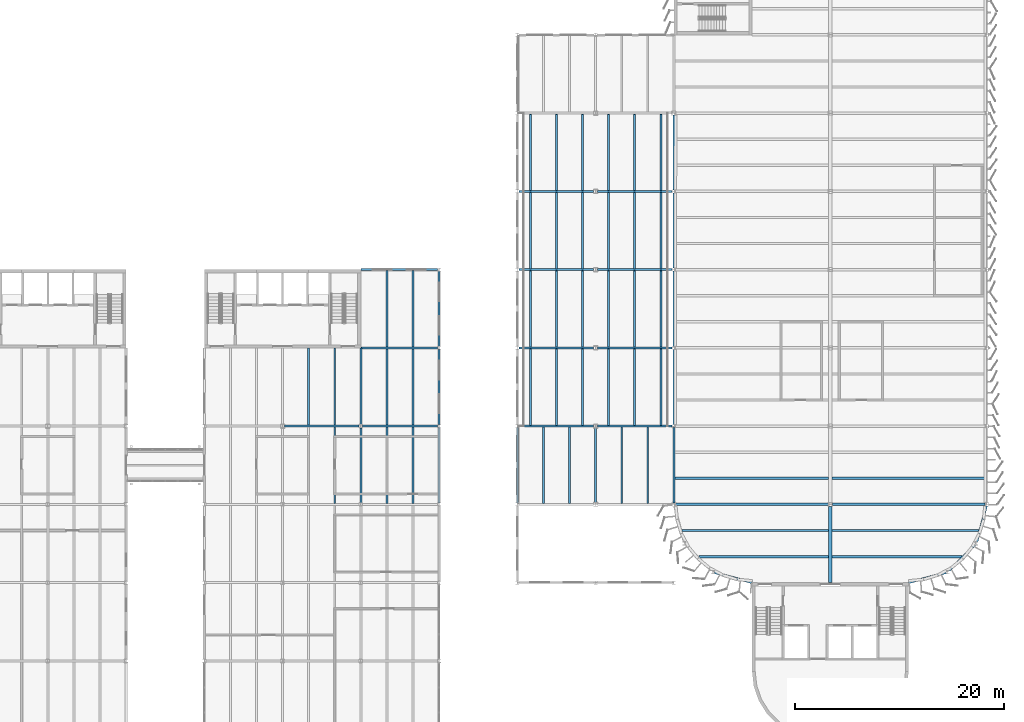
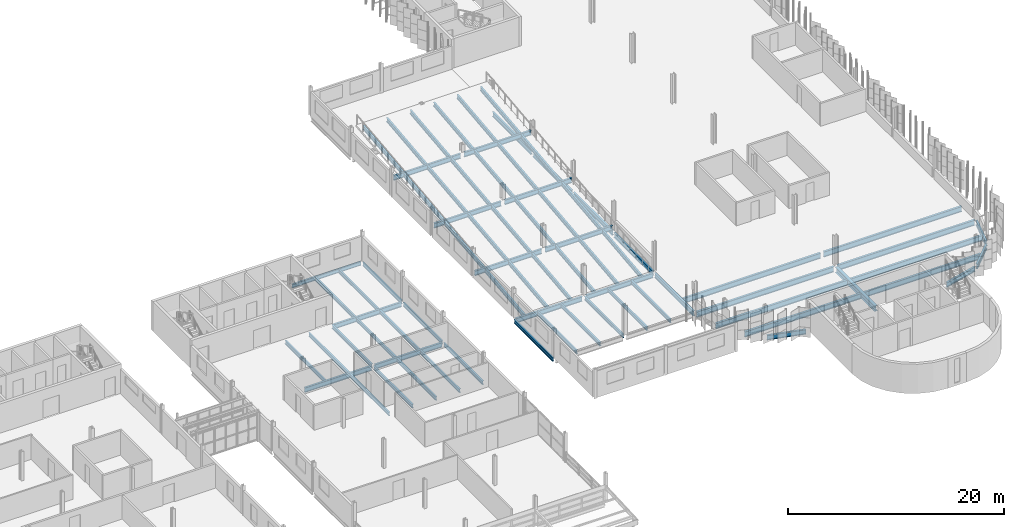
# One storey, part 52 of 214: 74 beams.
"""IFC4 building model written with IfcOpenShell, lengths in metres."""

from ifc_helpers import new_model, si_unit, direction, frame, origin, origin_2d, place, context, subcontext, project, spatial, i_section, extrude, material, material_profile, profile_set, type_object, element, save


model = new_model("IFC4")

# Units and contexts
model_context = context("Model", 3, precision=1e-05, world=origin(), true_north=direction((0.0, 1.0)))
body_context = subcontext(model_context, "Body", "Model", "MODEL_VIEW")
ifc_project = project(units=[si_unit("LENGTHUNIT", "METRE"), si_unit("AREAUNIT", "SQUARE_METRE"), si_unit("VOLUMEUNIT", "CUBIC_METRE"), si_unit("PLANEANGLEUNIT", "RADIAN"), si_unit("MASSUNIT", "GRAM", prefix="KILO")], contexts=[model_context])

# Site, building, storey
site_placement = place(None, origin())
site = spatial("IfcSite", under=ifc_project, at=site_placement, CompositionType="ELEMENT")
building_placement = place(site_placement, origin())
building = spatial("IfcBuilding", under=site, at=building_placement, Name="Parallax Yard Mobility Hub", CompositionType="ELEMENT")
storey_placement = place(building_placement, frame((0.0, 0.0, 3.300048828125)))
storey = spatial("IfcBuildingStorey", under=building, at=storey_placement, Name="L01", CompositionType="ELEMENT", Elevation=3.300048828125)

# Beams
ifc_material = material(Name="Steel ASTM A992", Category="steel")
ifc_material_profile_1 = material_profile(ifc_material, i_section(OverallWidth=0.177978515625, OverallDepth=0.406005859375, WebThickness=0.0078125, FlangeThickness=0.0126953125, FilletRadius=0.01025390625, at=origin_2d()), Name="W410x60")
ifc_profile_set_1 = profile_set([ifc_material_profile_1], Name="Steel ASTM A992")
beam_type_1 = type_object("IfcBeamType", Name="W410x60 edge beam", PredefinedType="SPANDREL", material=ifc_profile_set_1)
beam_1_placement = place(storey_placement, frame((180.0, 30.153564453125, -0.343017578125), z_axis=(0.0, 1.0, 0.0), x_axis=(-1.0, 0.0, 0.0)))
element("IfcBeam", 1, at=beam_1_placement, inside=storey, type_object=beam_type_1, Name="Edge beam SB1 level L01, line 25 of ramp house, span 1", PredefinedType="SPANDREL", context=body_context, shape_type="SweptSolid", body=[
    extrude(i_section(OverallWidth=0.177978515625, OverallDepth=0.406005859375, WebThickness=0.0078125, FlangeThickness=0.0126953125, FilletRadius=0.01025390625, at=origin_2d()), origin(), (0.0, 0.0, 1.0), 7.19287109375),
])
ifc_material_profile_2 = material_profile(ifc_material, i_section(OverallWidth=0.177978515625, OverallDepth=0.406005859375, WebThickness=0.0078125, FlangeThickness=0.0126953125, FilletRadius=0.01025390625, at=origin_2d()), Name="W410x60")
ifc_profile_set_2 = profile_set([ifc_material_profile_2], Name="Steel ASTM A992")
beam_type_2 = type_object("IfcBeamType", Name="W410x60 longitudinal beam", PredefinedType="BEAM", material=ifc_profile_set_2)
beam_2_placement = place(storey_placement, frame((187.5, 30.1865234375, -0.343017578125), z_axis=(0.0, 1.0, 0.0), x_axis=(-1.0, 0.0, 0.0)))
element("IfcBeam", 2, at=beam_2_placement, inside=storey, type_object=beam_type_2, Name="Longitudinal beam SB2 level L01, line 26 of ramp house, span 1", PredefinedType="BEAM", context=body_context, shape_type="SweptSolid", body=[
    extrude(i_section(OverallWidth=0.177978515625, OverallDepth=0.406005859375, WebThickness=0.0078125, FlangeThickness=0.0126953125, FilletRadius=0.01025390625, at=origin_2d()), origin(), (0.0, 0.0, 1.0), 7.12548828125),
])
ifc_material_profile_3 = material_profile(ifc_material, i_section(OverallWidth=0.177978515625, OverallDepth=0.406005859375, WebThickness=0.0078125, FlangeThickness=0.0126953125, FilletRadius=0.01025390625, at=origin_2d()), Name="W410x60")
ifc_profile_set_3 = profile_set([ifc_material_profile_3], Name="Steel ASTM A992")
beam_type_3 = type_object("IfcBeamType", Name="W410x60 secondary beam", PredefinedType="JOIST", material=ifc_profile_set_3)
for number, where, z_axis, x_axis, name in (
    (3, (182.5, 30.1044921875, -0.343017578125), (0.0, 1.0, 0.0), (-1.0, 0.0, 0.0), "Secondary beam B1 level L01, 2.5 m east of line 25 of ramp house, span 1"),
    (4, (190.0, 30.1044921875, -0.343017578125), (0.0, 1.0, 0.0), (-1.0, 0.0, 0.0), "Secondary beam B1 level L01, 2.5 m east of line 26 of ramp house, span 1"),
    (5, (185.0, 30.1044921875, -0.343017578125), (0.0, 1.0, 0.0), (-1.0, 0.0, 0.0), "Secondary beam B1 level L01, 5 m east of line 25 of ramp house, span 1"),
    (6, (192.5, 30.1044921875, -0.343017578125), (0.0, 1.0, 0.0), (-1.0, 0.0, 0.0), "Secondary beam B1 level L01, 5 m east of line 26 of ramp house, span 1"),
):
    element("IfcBeam", number, at=place(storey_placement, frame(where, z_axis=z_axis, x_axis=x_axis)), inside=storey, type_object=beam_type_3, Name=name, PredefinedType="JOIST", context=body_context, shape_type="SweptSolid", body=[
        extrude(i_section(OverallWidth=0.177978515625, OverallDepth=0.406005859375, WebThickness=0.0078125, FlangeThickness=0.0126953125, FilletRadius=0.01025390625, at=origin_2d()), origin(), (0.0, 0.0, 1.0), 7.291015625),
    ])
beam_3_placement = place(storey_placement, frame((160.0, 37.6044921875, -0.343017578125), z_axis=(0.0, 1.0, 0.0), x_axis=(-1.0, 0.0, 0.0)))
element("IfcBeam", 7, at=beam_3_placement, inside=storey, type_object=beam_type_3, Name="Secondary beam B1 level L01, 2.5 m east of line 22 of bicycle and shared-mobility hall, span 5", PredefinedType="JOIST", context=body_context, shape_type="SweptSolid", body=[
    extrude(i_section(OverallWidth=0.177978515625, OverallDepth=0.406005859375, WebThickness=0.0078125, FlangeThickness=0.0126953125, FilletRadius=0.01025390625, at=origin_2d()), origin(), (0.0, 0.0, 1.0), 7.3955078125),
])
for number, where, z_axis, x_axis, name in (
    (8, (167.5, 30.1044921875, -0.343017578125), (0.0, 1.0, 0.0), (-1.0, 0.0, 0.0), "Secondary beam B1 level L01, 2.5 m east of line 23 of bicycle and shared-mobility hall, span 4"),
    (9, (167.5, 37.6044921875, -0.343017578125), (0.0, 1.0, 0.0), (-1.0, 0.0, 0.0), "Secondary beam B1 level L01, 2.5 m east of line 23 of bicycle and shared-mobility hall, span 5"),
):
    element("IfcBeam", number, at=place(storey_placement, frame(where, z_axis=z_axis, x_axis=x_axis)), inside=storey, type_object=beam_type_3, Name=name, PredefinedType="JOIST", context=body_context, shape_type="SweptSolid", body=[
        extrude(i_section(OverallWidth=0.177978515625, OverallDepth=0.406005859375, WebThickness=0.0078125, FlangeThickness=0.0126953125, FilletRadius=0.01025390625, at=origin_2d()), origin(), (0.0, 0.0, 1.0), 7.291015625),
    ])
beam_4_placement = place(storey_placement, frame((167.5, 45.1044921875, -0.343017578125), z_axis=(0.0, 1.0, 0.0), x_axis=(-1.0, 0.0, 0.0)))
element("IfcBeam", 10, at=beam_4_placement, inside=storey, type_object=beam_type_3, Name="Secondary beam B1 level L01, 2.5 m east of line 23 of bicycle and shared-mobility hall, span 6", PredefinedType="JOIST", context=body_context, shape_type="SweptSolid", body=[
    extrude(i_section(OverallWidth=0.177978515625, OverallDepth=0.406005859375, WebThickness=0.0078125, FlangeThickness=0.0126953125, FilletRadius=0.01025390625, at=origin_2d()), origin(), (0.0, 0.0, 1.0), 7.305908203125),
])
beam_5_placement = place(storey_placement, frame((162.5, 30.1044921875, -0.343017578125), z_axis=(0.0, 1.0, 0.0), x_axis=(-1.0, 0.0, 0.0)))
element("IfcBeam", 11, at=beam_5_placement, inside=storey, type_object=beam_type_3, Name="Secondary beam B1 level L01, 5 m east of line 22 of bicycle and shared-mobility hall, span 4", PredefinedType="JOIST", context=body_context, shape_type="SweptSolid", body=[
    extrude(i_section(OverallWidth=0.177978515625, OverallDepth=0.406005859375, WebThickness=0.0078125, FlangeThickness=0.0126953125, FilletRadius=0.01025390625, at=origin_2d()), origin(), (0.0, 0.0, 1.0), 7.291015625),
])
beam_6_placement = place(storey_placement, frame((162.5, 37.6044921875, -0.343017578125), z_axis=(0.0, 1.0, 0.0), x_axis=(-1.0, 0.0, 0.0)))
element("IfcBeam", 12, at=beam_6_placement, inside=storey, type_object=beam_type_3, Name="Secondary beam B1 level L01, 5 m east of line 22 of bicycle and shared-mobility hall, span 5", PredefinedType="JOIST", context=body_context, shape_type="SweptSolid", body=[
    extrude(i_section(OverallWidth=0.177978515625, OverallDepth=0.406005859375, WebThickness=0.0078125, FlangeThickness=0.0126953125, FilletRadius=0.01025390625, at=origin_2d()), origin(), (0.0, 0.0, 1.0), 7.3955078125),
])
for number, where, z_axis, x_axis, name in (
    (13, (170.0, 30.1044921875, -0.343017578125), (0.0, 1.0, 0.0), (-1.0, 0.0, 0.0), "Secondary beam B1 level L01, 5 m east of line 23 of bicycle and shared-mobility hall, span 4"),
    (14, (170.0, 37.6044921875, -0.343017578125), (0.0, 1.0, 0.0), (-1.0, 0.0, 0.0), "Secondary beam B1 level L01, 5 m east of line 23 of bicycle and shared-mobility hall, span 5"),
):
    element("IfcBeam", number, at=place(storey_placement, frame(where, z_axis=z_axis, x_axis=x_axis)), inside=storey, type_object=beam_type_3, Name=name, PredefinedType="JOIST", context=body_context, shape_type="SweptSolid", body=[
        extrude(i_section(OverallWidth=0.177978515625, OverallDepth=0.406005859375, WebThickness=0.0078125, FlangeThickness=0.0126953125, FilletRadius=0.01025390625, at=origin_2d()), origin(), (0.0, 0.0, 1.0), 7.291015625),
    ])
beam_7_placement = place(storey_placement, frame((170.0, 45.1044921875, -0.343017578125), z_axis=(0.0, 1.0, 0.0), x_axis=(-1.0, 0.0, 0.0)))
element("IfcBeam", 15, at=beam_7_placement, inside=storey, type_object=beam_type_3, Name="Secondary beam B1 level L01, 5 m east of line 23 of bicycle and shared-mobility hall, span 6", PredefinedType="JOIST", context=body_context, shape_type="SweptSolid", body=[
    extrude(i_section(OverallWidth=0.177978515625, OverallDepth=0.406005859375, WebThickness=0.0078125, FlangeThickness=0.0126953125, FilletRadius=0.01025390625, at=origin_2d()), origin(), (0.0, 0.0, 1.0), 7.305908203125),
])
ifc_material_profile_4 = material_profile(ifc_material, i_section(OverallWidth=0.178955078125, OverallDepth=0.408935546875, WebThickness=0.0087890625, FlangeThickness=0.014404296875, FilletRadius=0.01025390625, at=origin_2d()), Name="W410x67")
ifc_profile_set_4 = profile_set([ifc_material_profile_4], Name="Steel ASTM A992")
beam_type_4 = type_object("IfcBeamType", Name="W410x67 edge beam", PredefinedType="SPANDREL", material=ifc_profile_set_4)
for number, where, z_axis, x_axis, name in (
    (16, (172.5, 30.153564453125, -0.344482421875), (0.0, 1.0, 0.0), (-1.0, 0.0, 0.0), "Edge beam SB3 level L01, line 24 of bicycle and shared-mobility hall, span 4"),
    (17, (172.5, 37.653564453125, -0.344482421875), (0.0, 1.0, 0.0), (-1.0, 0.0, 0.0), "Edge beam SB3 level L01, line 24 of bicycle and shared-mobility hall, span 5"),
    (18, (172.5, 45.153564453125, -0.344482421875), (0.0, 1.0, 0.0), (-1.0, 0.0, 0.0), "Edge beam SB3 level L01, line 24 of bicycle and shared-mobility hall, span 6"),
):
    element("IfcBeam", number, at=place(storey_placement, frame(where, z_axis=z_axis, x_axis=x_axis)), inside=storey, type_object=beam_type_4, Name=name, PredefinedType="SPANDREL", context=body_context, shape_type="SweptSolid", body=[
        extrude(i_section(OverallWidth=0.178955078125, OverallDepth=0.408935546875, WebThickness=0.0087890625, FlangeThickness=0.014404296875, FilletRadius=0.01025390625, at=origin_2d()), origin(), (0.0, 0.0, 1.0), 7.19287109375),
    ])
beam_8_placement = place(storey_placement, frame((165.0, 52.5, -0.344482421875), z_axis=(1.0, 0.0, 0.0), x_axis=(0.0, 1.0, 0.0)))
element("IfcBeam", 19, at=beam_8_placement, inside=storey, type_object=beam_type_4, Name="Edge beam SB3 level L01, line H of bicycle and shared-mobility hall, span 1", PredefinedType="SPANDREL", context=body_context, shape_type="SweptSolid", body=[
    extrude(i_section(OverallWidth=0.178955078125, OverallDepth=0.408935546875, WebThickness=0.0087890625, FlangeThickness=0.014404296875, FilletRadius=0.01025390625, at=origin_2d()), origin(), (0.0, 0.0, 1.0), 7.347412109375),
])
ifc_material_profile_5 = material_profile(ifc_material, i_section(OverallWidth=0.178955078125, OverallDepth=0.408935546875, WebThickness=0.0087890625, FlangeThickness=0.014404296875, FilletRadius=0.01025390625, at=origin_2d()), Name="W410x67")
ifc_profile_set_5 = profile_set([ifc_material_profile_5], Name="Steel ASTM A992")
beam_type_5 = type_object("IfcBeamType", Name="W410x67 girder", PredefinedType="BEAM", material=ifc_profile_set_5)
beam_9_placement = place(storey_placement, frame((165.0, 30.153564453125, -0.344482421875), z_axis=(0.0, 1.0, 0.0), x_axis=(-1.0, 0.0, 0.0)))
element("IfcBeam", 20, at=beam_9_placement, inside=storey, type_object=beam_type_5, Name="Girder G1 level L01, line 23 of bicycle and shared-mobility hall, span 4", PredefinedType="BEAM", context=body_context, shape_type="SweptSolid", body=[
    extrude(i_section(OverallWidth=0.178955078125, OverallDepth=0.408935546875, WebThickness=0.0087890625, FlangeThickness=0.014404296875, FilletRadius=0.01025390625, at=origin_2d()), origin(), (0.0, 0.0, 1.0), 7.1875),
])
beam_10_placement = place(storey_placement, frame((165.0, 37.658935546875, -0.344482421875), z_axis=(0.0, 1.0, 0.0), x_axis=(-1.0, 0.0, 0.0)))
element("IfcBeam", 21, at=beam_10_placement, inside=storey, type_object=beam_type_5, Name="Girder G1 level L01, line 23 of bicycle and shared-mobility hall, span 5", PredefinedType="BEAM", context=body_context, shape_type="SweptSolid", body=[
    extrude(i_section(OverallWidth=0.178955078125, OverallDepth=0.408935546875, WebThickness=0.0087890625, FlangeThickness=0.014404296875, FilletRadius=0.01025390625, at=origin_2d()), origin(), (0.0, 0.0, 1.0), 7.341064453125),
])
ifc_material_profile_6 = material_profile(ifc_material, i_section(OverallWidth=0.19091796875, OverallDepth=0.45703125, WebThickness=0.009033203125, FlangeThickness=0.014404296875, FilletRadius=0.01025390625, at=origin_2d()), Name="W460x74")
ifc_profile_set_6 = profile_set([ifc_material_profile_6], Name="Steel ASTM A992")
beam_type_6 = type_object("IfcBeamType", Name="W460x74 ramp beam", PredefinedType="JOIST", material=ifc_profile_set_6)
for number, where, z_axis, x_axis, name in (
    (22, (181.25, 37.6044921875, -0.41845703125), (0.0, 0.994004500635, 0.109339163695), (-1.0, 0.0, 0.0), "Ramp beam RJ1 level L01, ramp RP2 of ramp house, span 1"),
    (23, (181.25, 45.1044921875, 0.406494140625), (0.0, 0.994004500635, 0.109339163695), (-1.0, 0.0, 0.0), "Ramp beam RJ1 level L01, ramp RP2 of ramp house, span 2"),
    (24, (181.25, 52.6044921875, 1.2314453125), (0.0, 0.994004500635, 0.109339163695), (-1.0, 0.0, 0.0), "Ramp beam RJ1 level L01, ramp RP2 of ramp house, span 3"),
    (25, (181.25, 60.1044921875, 2.056640625), (0.0, 0.994004500635, 0.109339163695), (-1.0, 0.0, 0.0), "Ramp beam RJ1 level L01, ramp RP2 of ramp house, span 4"),
    (26, (183.75, 37.6044921875, -0.41845703125), (0.0, 0.994004500635, 0.109339163695), (-1.0, 0.0, 0.0), "Ramp beam RJ1 level L01, ramp RP2 of ramp house, span 5"),
    (27, (183.75, 45.1044921875, 0.406494140625), (0.0, 0.994004500635, 0.109339163695), (-1.0, 0.0, 0.0), "Ramp beam RJ1 level L01, ramp RP2 of ramp house, span 6"),
    (28, (183.75, 52.6044921875, 1.2314453125), (0.0, 0.994004500635, 0.109339163695), (-1.0, 0.0, 0.0), "Ramp beam RJ1 level L01, ramp RP2 of ramp house, span 7"),
    (29, (183.75, 60.1044921875, 2.056640625), (0.0, 0.994004500635, 0.109339163695), (-1.0, 0.0, 0.0), "Ramp beam RJ1 level L01, ramp RP2 of ramp house, span 8"),
    (30, (186.25, 37.6044921875, -0.41845703125), (0.0, 0.994004500635, 0.109339163695), (-1.0, 0.0, 0.0), "Ramp beam RJ1 level L01, ramp RP2 of ramp house, span 9"),
    (31, (186.25, 45.1044921875, 0.406494140625), (0.0, 0.994004500635, 0.109339163695), (-1.0, 0.0, 0.0), "Ramp beam RJ1 level L01, ramp RP2 of ramp house, span 10"),
    (32, (186.25, 52.6044921875, 1.2314453125), (0.0, 0.994004500635, 0.109339163695), (-1.0, 0.0, 0.0), "Ramp beam RJ1 level L01, ramp RP2 of ramp house, span 11"),
    (33, (186.25, 60.1044921875, 2.056640625), (0.0, 0.994004500635, 0.109339163695), (-1.0, 0.0, 0.0), "Ramp beam RJ1 level L01, ramp RP2 of ramp house, span 12"),
    (34, (188.75, 37.6044921875, -0.41845703125), (0.0, 0.994004500635, 0.109339163695), (-1.0, 0.0, 0.0), "Ramp beam RJ1 level L01, ramp RP2 of ramp house, span 13"),
    (35, (188.75, 45.1044921875, 0.406494140625), (0.0, 0.994004500635, 0.109339163695), (-1.0, 0.0, 0.0), "Ramp beam RJ1 level L01, ramp RP2 of ramp house, span 14"),
    (36, (188.75, 52.6044921875, 1.2314453125), (0.0, 0.994004500635, 0.109339163695), (-1.0, 0.0, 0.0), "Ramp beam RJ1 level L01, ramp RP2 of ramp house, span 15"),
    (37, (188.75, 60.1044921875, 2.056640625), (0.0, 0.994004500635, 0.109339163695), (-1.0, 0.0, 0.0), "Ramp beam RJ1 level L01, ramp RP2 of ramp house, span 16"),
    (38, (191.25, 37.6044921875, -0.41845703125), (0.0, 0.994004500635, 0.109339163695), (-1.0, 0.0, 0.0), "Ramp beam RJ1 level L01, ramp RP2 of ramp house, span 17"),
    (39, (191.25, 45.1044921875, 0.406494140625), (0.0, 0.994004500635, 0.109339163695), (-1.0, 0.0, 0.0), "Ramp beam RJ1 level L01, ramp RP2 of ramp house, span 18"),
    (40, (191.25, 52.6044921875, 1.2314453125), (0.0, 0.994004500635, 0.109339163695), (-1.0, 0.0, 0.0), "Ramp beam RJ1 level L01, ramp RP2 of ramp house, span 19"),
    (41, (191.25, 60.1044921875, 2.056640625), (0.0, 0.994004500635, 0.109339163695), (-1.0, 0.0, 0.0), "Ramp beam RJ1 level L01, ramp RP2 of ramp house, span 20"),
    (42, (193.75, 37.6044921875, -0.41845703125), (0.0, 0.994004500635, 0.109339163695), (-1.0, 0.0, 0.0), "Ramp beam RJ1 level L01, ramp RP2 of ramp house, span 21"),
    (43, (193.75, 45.1044921875, 0.406494140625), (0.0, 0.994004500635, 0.109339163695), (-1.0, 0.0, 0.0), "Ramp beam RJ1 level L01, ramp RP2 of ramp house, span 22"),
    (44, (193.75, 52.6044921875, 1.2314453125), (0.0, 0.994004500635, 0.109339163695), (-1.0, 0.0, 0.0), "Ramp beam RJ1 level L01, ramp RP2 of ramp house, span 23"),
    (45, (193.75, 60.1044921875, 2.056640625), (0.0, 0.994004500635, 0.109339163695), (-1.0, 0.0, 0.0), "Ramp beam RJ1 level L01, ramp RP2 of ramp house, span 24"),
):
    element("IfcBeam", number, at=place(storey_placement, frame(where, z_axis=z_axis, x_axis=x_axis)), inside=storey, type_object=beam_type_6, Name=name, PredefinedType="JOIST", context=body_context, shape_type="SweptSolid", body=[
        extrude(i_section(OverallWidth=0.19091796875, OverallDepth=0.45703125, WebThickness=0.009033203125, FlangeThickness=0.014404296875, FilletRadius=0.01025390625, at=origin_2d()), origin(), (0.0, 0.0, 1.0), 7.3349609375),
    ])
ifc_material_profile_7 = material_profile(ifc_material, i_section(OverallWidth=0.208984375, OverallDepth=0.532958984375, WebThickness=0.01025390625, FlangeThickness=0.015625, FilletRadius=0.0126953125, at=origin_2d()), Name="W530x92")
ifc_profile_set_7 = profile_set([ifc_material_profile_7], Name="Steel ASTM A992")
beam_type_7 = type_object("IfcBeamType", Name="W530x92 edge beam", PredefinedType="SPANDREL", material=ifc_profile_set_7)
beam_11_placement = place(storey_placement, frame((195.0, 30.155029296875, -0.406494140625), z_axis=(0.0, 1.0, 0.0), x_axis=(-1.0, 0.0, 0.0)))
element("IfcBeam", 46, at=beam_11_placement, inside=storey, type_object=beam_type_7, Name="Edge beam SB5 level L01, line 27 of ramped parking decks, span 1", PredefinedType="SPANDREL", context=body_context, shape_type="SweptSolid", body=[
    extrude(i_section(OverallWidth=0.208984375, OverallDepth=0.532958984375, WebThickness=0.01025390625, FlangeThickness=0.015625, FilletRadius=0.0126953125, at=origin_2d()), origin(), (0.0, 0.0, 1.0), 7.19140625),
])
for number, where, z_axis, x_axis, name in (
    (47, (195.0, 37.653564453125, -0.406494140625), (0.0, 1.0, 0.0), (-1.0, 0.0, 0.0), "Edge beam SB5 level L01, line 27 of ramped parking decks, span 2"),
    (48, (195.0, 45.153564453125, -0.406494140625), (0.0, 1.0, 0.0), (-1.0, 0.0, 0.0), "Edge beam SB5 level L01, line 27 of ramped parking decks, span 3"),
    (49, (195.0, 52.653564453125, -0.406494140625), (0.0, 1.0, 0.0), (-1.0, 0.0, 0.0), "Edge beam SB5 level L01, line 27 of ramped parking decks, span 4"),
):
    element("IfcBeam", number, at=place(storey_placement, frame(where, z_axis=z_axis, x_axis=x_axis)), inside=storey, type_object=beam_type_7, Name=name, PredefinedType="SPANDREL", context=body_context, shape_type="SweptSolid", body=[
        extrude(i_section(OverallWidth=0.208984375, OverallDepth=0.532958984375, WebThickness=0.01025390625, FlangeThickness=0.015625, FilletRadius=0.0126953125, at=origin_2d()), origin(), (0.0, 0.0, 1.0), 7.19287109375),
    ])
beam_12_placement = place(storey_placement, frame((195.0, 60.153564453125, -0.406494140625), z_axis=(0.0, 1.0, 0.0), x_axis=(-1.0, 0.0, 0.0)))
element("IfcBeam", 50, at=beam_12_placement, inside=storey, type_object=beam_type_7, Name="Edge beam SB5 level L01, line 27 of ramped parking decks, span 5", PredefinedType="SPANDREL", context=body_context, shape_type="SweptSolid", body=[
    extrude(i_section(OverallWidth=0.208984375, OverallDepth=0.532958984375, WebThickness=0.01025390625, FlangeThickness=0.015625, FilletRadius=0.0126953125, at=origin_2d()), origin(), (0.0, 0.0, 1.0), 7.1494140625),
])
for number, where, z_axis, x_axis, name in (
    (51, (198.902587890625, 23.4638671875, -0.406494140625), (0.965929617639, -0.258804895177, 0.0), (0.258804895177, 0.965929617639, 0.0), "Edge beam SB5 level L01, the south end of ramped parking decks, span 3"),
    (52, (217.5, 22.5, -0.406494140625), (0.965929617639, 0.258804895177, 0.0), (-0.258804895177, 0.965929617639, 0.0), "Edge beam SB5 level L01, the south end of ramped parking decks, span 4"),
):
    element("IfcBeam", number, at=place(storey_placement, frame(where, z_axis=z_axis, x_axis=x_axis)), inside=storey, type_object=beam_type_7, Name=name, PredefinedType="SPANDREL", context=body_context, shape_type="SweptSolid", body=[
        extrude(i_section(OverallWidth=0.208984375, OverallDepth=0.532958984375, WebThickness=0.01025390625, FlangeThickness=0.015625, FilletRadius=0.0126953125, at=origin_2d()), origin(), (0.0, 0.0, 1.0), 3.724365234375),
    ])
beam_13_placement = place(storey_placement, frame((221.402587890625, 23.6572265625, -0.406494140625), z_axis=(0.707106781187, 0.707106781187, 0.0), x_axis=(-0.707106781187, 0.707106781187, 0.0)))
element("IfcBeam", 53, at=beam_13_placement, inside=storey, type_object=beam_type_7, Name="Edge beam SB5 level L01, the south end of ramped parking decks, span 5", PredefinedType="SPANDREL", context=body_context, shape_type="SweptSolid", body=[
    extrude(i_section(OverallWidth=0.208984375, OverallDepth=0.532958984375, WebThickness=0.01025390625, FlangeThickness=0.015625, FilletRadius=0.0126953125, at=origin_2d()), origin(), (0.0, 0.0, 1.0), 3.450927734375),
])
beam_14_placement = place(storey_placement, frame((224.036376953125, 26.403564453125, -0.406494140625), z_axis=(0.258818289619, 0.96592602872, 0.0), x_axis=(-0.96592602872, 0.258818289619, 0.0)))
element("IfcBeam", 54, at=beam_14_placement, inside=storey, type_object=beam_type_7, Name="Edge beam SB5 level L01, the south end of ramped parking decks, span 6", PredefinedType="SPANDREL", context=body_context, shape_type="SweptSolid", body=[
    extrude(i_section(OverallWidth=0.208984375, OverallDepth=0.532958984375, WebThickness=0.01025390625, FlangeThickness=0.015625, FilletRadius=0.0126953125, at=origin_2d()), origin(), (0.0, 0.0, 1.0), 3.562744140625),
])
ifc_material_profile_8 = material_profile(ifc_material, i_section(OverallWidth=0.208984375, OverallDepth=0.532958984375, WebThickness=0.01025390625, FlangeThickness=0.015625, FilletRadius=0.0126953125, at=origin_2d()), Name="W530x92")
ifc_profile_set_8 = profile_set([ifc_material_profile_8], Name="Steel ASTM A992")
beam_type_8 = type_object("IfcBeamType", Name="W530x92 girder", PredefinedType="BEAM", material=ifc_profile_set_8)
beam_15_placement = place(storey_placement, frame((180.152587890625, 37.5, -0.466552734375), z_axis=(1.0, 0.0, 0.0), x_axis=(0.0, 1.0, 0.0)))
element("IfcBeam", 55, at=beam_15_placement, inside=storey, type_object=beam_type_8, Name="Girder G2 level L01, line F of ramp house, span 1", PredefinedType="BEAM", context=body_context, shape_type="SweptSolid", body=[
    extrude(i_section(OverallWidth=0.208984375, OverallDepth=0.532958984375, WebThickness=0.01025390625, FlangeThickness=0.015625, FilletRadius=0.0126953125, at=origin_2d()), origin(), (0.0, 0.0, 1.0), 7.150390625),
])
beam_16_placement = place(storey_placement, frame((187.697021484375, 37.5, -0.466552734375), z_axis=(1.0, 0.0, 0.0), x_axis=(0.0, 1.0, 0.0)))
element("IfcBeam", 56, at=beam_16_placement, inside=storey, type_object=beam_type_8, Name="Girder G2 level L01, line F of ramp house, span 2", PredefinedType="BEAM", context=body_context, shape_type="SweptSolid", body=[
    extrude(i_section(OverallWidth=0.208984375, OverallDepth=0.532958984375, WebThickness=0.01025390625, FlangeThickness=0.015625, FilletRadius=0.0126953125, at=origin_2d()), origin(), (0.0, 0.0, 1.0), 7.14404296875),
])
beam_17_placement = place(storey_placement, frame((180.152587890625, 45.0, 0.346923828125), z_axis=(1.0, 0.0, 0.0), x_axis=(0.0, 1.0, 0.0)))
element("IfcBeam", 57, at=beam_17_placement, inside=storey, type_object=beam_type_8, Name="Girder G2 level L01, line G of ramp house, span 1", PredefinedType="BEAM", context=body_context, shape_type="SweptSolid", body=[
    extrude(i_section(OverallWidth=0.208984375, OverallDepth=0.532958984375, WebThickness=0.01025390625, FlangeThickness=0.015625, FilletRadius=0.0126953125, at=origin_2d()), origin(), (0.0, 0.0, 1.0), 7.160888671875),
])
beam_18_placement = place(storey_placement, frame((187.6865234375, 45.0, 0.346923828125), z_axis=(1.0, 0.0, 0.0), x_axis=(0.0, 1.0, 0.0)))
element("IfcBeam", 58, at=beam_18_placement, inside=storey, type_object=beam_type_8, Name="Girder G2 level L01, line G of ramp house, span 2", PredefinedType="BEAM", context=body_context, shape_type="SweptSolid", body=[
    extrude(i_section(OverallWidth=0.208984375, OverallDepth=0.532958984375, WebThickness=0.01025390625, FlangeThickness=0.015625, FilletRadius=0.0126953125, at=origin_2d()), origin(), (0.0, 0.0, 1.0), 7.157470703125),
])
beam_19_placement = place(storey_placement, frame((180.152587890625, 52.5, 1.171875), z_axis=(1.0, 0.0, 0.0), x_axis=(0.0, 1.0, 0.0)))
element("IfcBeam", 59, at=beam_19_placement, inside=storey, type_object=beam_type_8, Name="Girder G2 level L01, line H of ramp house, span 1", PredefinedType="BEAM", context=body_context, shape_type="SweptSolid", body=[
    extrude(i_section(OverallWidth=0.208984375, OverallDepth=0.532958984375, WebThickness=0.01025390625, FlangeThickness=0.015625, FilletRadius=0.0126953125, at=origin_2d()), origin(), (0.0, 0.0, 1.0), 7.160888671875),
])
beam_20_placement = place(storey_placement, frame((187.6865234375, 52.5, 1.171875), z_axis=(1.0, 0.0, 0.0), x_axis=(0.0, 1.0, 0.0)))
element("IfcBeam", 60, at=beam_20_placement, inside=storey, type_object=beam_type_8, Name="Girder G2 level L01, line H of ramp house, span 2", PredefinedType="BEAM", context=body_context, shape_type="SweptSolid", body=[
    extrude(i_section(OverallWidth=0.208984375, OverallDepth=0.532958984375, WebThickness=0.01025390625, FlangeThickness=0.015625, FilletRadius=0.0126953125, at=origin_2d()), origin(), (0.0, 0.0, 1.0), 7.157470703125),
])
beam_21_placement = place(storey_placement, frame((180.152587890625, 60.0, 1.9970703125), z_axis=(1.0, 0.0, 0.0), x_axis=(0.0, 1.0, 0.0)))
element("IfcBeam", 61, at=beam_21_placement, inside=storey, type_object=beam_type_8, Name="Girder G2 level L01, line J of ramp house, span 1", PredefinedType="BEAM", context=body_context, shape_type="SweptSolid", body=[
    extrude(i_section(OverallWidth=0.208984375, OverallDepth=0.532958984375, WebThickness=0.01025390625, FlangeThickness=0.015625, FilletRadius=0.0126953125, at=origin_2d()), origin(), (0.0, 0.0, 1.0), 7.160888671875),
])
beam_22_placement = place(storey_placement, frame((187.6865234375, 60.0, 1.9970703125), z_axis=(1.0, 0.0, 0.0), x_axis=(0.0, 1.0, 0.0)))
element("IfcBeam", 62, at=beam_22_placement, inside=storey, type_object=beam_type_8, Name="Girder G2 level L01, line J of ramp house, span 2", PredefinedType="BEAM", context=body_context, shape_type="SweptSolid", body=[
    extrude(i_section(OverallWidth=0.208984375, OverallDepth=0.532958984375, WebThickness=0.01025390625, FlangeThickness=0.015625, FilletRadius=0.0126953125, at=origin_2d()), origin(), (0.0, 0.0, 1.0), 7.157470703125),
])
ifc_material_profile_9 = material_profile(ifc_material, i_section(OverallWidth=0.208984375, OverallDepth=0.532958984375, WebThickness=0.01025390625, FlangeThickness=0.015625, FilletRadius=0.0126953125, at=origin_2d()), Name="W530x92")
ifc_profile_set_9 = profile_set([ifc_material_profile_9], Name="Steel ASTM A992")
beam_type_9 = type_object("IfcBeamType", Name="W530x92 longitudinal beam", PredefinedType="BEAM", material=ifc_profile_set_9)
beam_23_placement = place(storey_placement, frame((157.697021484375, 37.5, -0.406494140625), z_axis=(1.0, 0.0, 0.0), x_axis=(0.0, 1.0, 0.0)))
element("IfcBeam", 63, at=beam_23_placement, inside=storey, type_object=beam_type_9, Name="Longitudinal beam SB6 level L01, line F of bicycle and shared-mobility hall, span 2", PredefinedType="BEAM", context=body_context, shape_type="SweptSolid", body=[
    extrude(i_section(OverallWidth=0.208984375, OverallDepth=0.532958984375, WebThickness=0.01025390625, FlangeThickness=0.015625, FilletRadius=0.0126953125, at=origin_2d()), origin(), (0.0, 0.0, 1.0), 7.1494140625),
])
beam_24_placement = place(storey_placement, frame((165.153564453125, 37.5, -0.406494140625), z_axis=(1.0, 0.0, 0.0), x_axis=(0.0, 1.0, 0.0)))
element("IfcBeam", 64, at=beam_24_placement, inside=storey, type_object=beam_type_9, Name="Longitudinal beam SB6 level L01, line F of bicycle and shared-mobility hall, span 3", PredefinedType="BEAM", context=body_context, shape_type="SweptSolid", body=[
    extrude(i_section(OverallWidth=0.208984375, OverallDepth=0.532958984375, WebThickness=0.01025390625, FlangeThickness=0.015625, FilletRadius=0.0126953125, at=origin_2d()), origin(), (0.0, 0.0, 1.0), 7.19384765625),
])
beam_25_placement = place(storey_placement, frame((165.0, 45.0, -0.406494140625), z_axis=(1.0, 0.0, 0.0), x_axis=(0.0, 1.0, 0.0)))
element("IfcBeam", 65, at=beam_25_placement, inside=storey, type_object=beam_type_9, Name="Longitudinal beam SB6 level L01, line G of bicycle and shared-mobility hall, span 1", PredefinedType="BEAM", context=body_context, shape_type="SweptSolid", body=[
    extrude(i_section(OverallWidth=0.208984375, OverallDepth=0.532958984375, WebThickness=0.01025390625, FlangeThickness=0.015625, FilletRadius=0.0126953125, at=origin_2d()), origin(), (0.0, 0.0, 1.0), 7.347412109375),
])
ifc_material_profile_10 = material_profile(ifc_material, i_section(OverallWidth=0.22802734375, OverallDepth=0.60205078125, WebThickness=0.010498046875, FlangeThickness=0.014892578125, FilletRadius=0.0126953125, at=origin_2d()), Name="W610x101")
ifc_profile_set_10 = profile_set([ifc_material_profile_10], Name="Steel ASTM A992")
beam_type_10 = type_object("IfcBeamType", Name="W610x101 secondary beam", PredefinedType="JOIST", material=ifc_profile_set_10)
for number, where, z_axis, x_axis, name in (
    (66, (197.402587890625, 25.0, -0.441162109375), (1.0, 0.0, 0.0), (0.0, 1.0, 0.0), "Secondary beam B3 level L01, 2.5 m north of line D of ramped parking decks, span 1"),
    (67, (210.16259765625, 25.0, -0.441162109375), (1.0, 0.0, 0.0), (0.0, 1.0, 0.0), "Secondary beam B3 level L01, 2.5 m north of line D of ramped parking decks, span 2"),
):
    element("IfcBeam", number, at=place(storey_placement, frame(where, z_axis=z_axis, x_axis=x_axis)), inside=storey, type_object=beam_type_10, Name=name, PredefinedType="JOIST", context=body_context, shape_type="SweptSolid", body=[
        extrude(i_section(OverallWidth=0.22802734375, OverallDepth=0.60205078125, WebThickness=0.010498046875, FlangeThickness=0.014892578125, FilletRadius=0.0126953125, at=origin_2d()), origin(), (0.0, 0.0, 1.0), 12.434814453125),
    ])
for number, where, z_axis, x_axis, name in (
    (68, (195.1044921875, 32.5, -0.441162109375), (1.0, 0.0, 0.0), (0.0, 1.0, 0.0), "Secondary beam B3 level L01, 2.5 m north of line E of ramped parking decks, span 1"),
    (69, (210.16259765625, 32.5, -0.441162109375), (1.0, 0.0, 0.0), (0.0, 1.0, 0.0), "Secondary beam B3 level L01, 2.5 m north of line E of ramped parking decks, span 2"),
):
    element("IfcBeam", number, at=place(storey_placement, frame(where, z_axis=z_axis, x_axis=x_axis)), inside=storey, type_object=beam_type_10, Name=name, PredefinedType="JOIST", context=body_context, shape_type="SweptSolid", body=[
        extrude(i_section(OverallWidth=0.22802734375, OverallDepth=0.60205078125, WebThickness=0.010498046875, FlangeThickness=0.014892578125, FilletRadius=0.0126953125, at=origin_2d()), origin(), (0.0, 0.0, 1.0), 14.73291015625),
    ])
for number, where, z_axis, x_axis, name in (
    (70, (195.778076171875, 27.5, -0.441162109375), (1.0, 0.0, 0.0), (0.0, 1.0, 0.0), "Secondary beam B3 level L01, 5 m north of line D of ramped parking decks, span 1"),
    (71, (210.16259765625, 27.5, -0.441162109375), (1.0, 0.0, 0.0), (0.0, 1.0, 0.0), "Secondary beam B3 level L01, 5 m north of line D of ramped parking decks, span 2"),
):
    element("IfcBeam", number, at=place(storey_placement, frame(where, z_axis=z_axis, x_axis=x_axis)), inside=storey, type_object=beam_type_10, Name=name, PredefinedType="JOIST", context=body_context, shape_type="SweptSolid", body=[
        extrude(i_section(OverallWidth=0.22802734375, OverallDepth=0.60205078125, WebThickness=0.010498046875, FlangeThickness=0.014892578125, FilletRadius=0.0126953125, at=origin_2d()), origin(), (0.0, 0.0, 1.0), 14.059326171875),
    ])
ifc_material_profile_11 = material_profile(ifc_material, i_section(OverallWidth=0.22900390625, OverallDepth=0.612060546875, WebThickness=0.011962890625, FlangeThickness=0.01953125, FilletRadius=0.0126953125, at=origin_2d()), Name="W610x125")
ifc_profile_set_11 = profile_set([ifc_material_profile_11], Name="Steel ASTM A992")
beam_type_11 = type_object("IfcBeamType", Name="W610x125 girder", PredefinedType="BEAM", material=ifc_profile_set_11)
for number, where, z_axis, x_axis, name in (
    (72, (195.1640625, 30.0, -0.446044921875), (1.0, 0.0, 0.0), (0.0, 1.0, 0.0), "Girder G3 level L01, line E of ramped parking decks, span 1"),
    (73, (210.1904296875, 30.0, -0.446044921875), (1.0, 0.0, 0.0), (0.0, 1.0, 0.0), "Girder G3 level L01, line E of ramped parking decks, span 2"),
):
    element("IfcBeam", number, at=place(storey_placement, frame(where, z_axis=z_axis, x_axis=x_axis)), inside=storey, type_object=beam_type_11, Name=name, PredefinedType="BEAM", context=body_context, shape_type="SweptSolid", body=[
        extrude(i_section(OverallWidth=0.22900390625, OverallDepth=0.612060546875, WebThickness=0.011962890625, FlangeThickness=0.01953125, FilletRadius=0.0126953125, at=origin_2d()), origin(), (0.0, 0.0, 1.0), 14.6455078125),
    ])
ifc_material_profile_12 = material_profile(ifc_material, i_section(OverallWidth=0.324951171875, OverallDepth=0.612060546875, WebThickness=0.0126953125, FlangeThickness=0.01904296875, FilletRadius=0.0126953125, at=origin_2d()), Name="W610x155")
ifc_profile_set_12 = profile_set([ifc_material_profile_12], Name="Steel ASTM A992")
beam_type_12 = type_object("IfcBeamType", Name="W610x155 longitudinal beam", PredefinedType="BEAM", material=ifc_profile_set_12)
beam_26_placement = place(storey_placement, frame((210.0, 22.5, -0.446044921875), z_axis=(0.0, 1.0, 0.0), x_axis=(-1.0, 0.0, 0.0)))
element("IfcBeam", 74, at=beam_26_placement, inside=storey, type_object=beam_type_12, Name="Longitudinal beam SB8 level L01, line 29 of ramped parking decks, span 1", PredefinedType="BEAM", context=body_context, shape_type="SweptSolid", body=[
    extrude(i_section(OverallWidth=0.324951171875, OverallDepth=0.612060546875, WebThickness=0.0126953125, FlangeThickness=0.01904296875, FilletRadius=0.0126953125, at=origin_2d()), origin(), (0.0, 0.0, 1.0), 7.302001953125),
])

save(model, "model.ifc")
